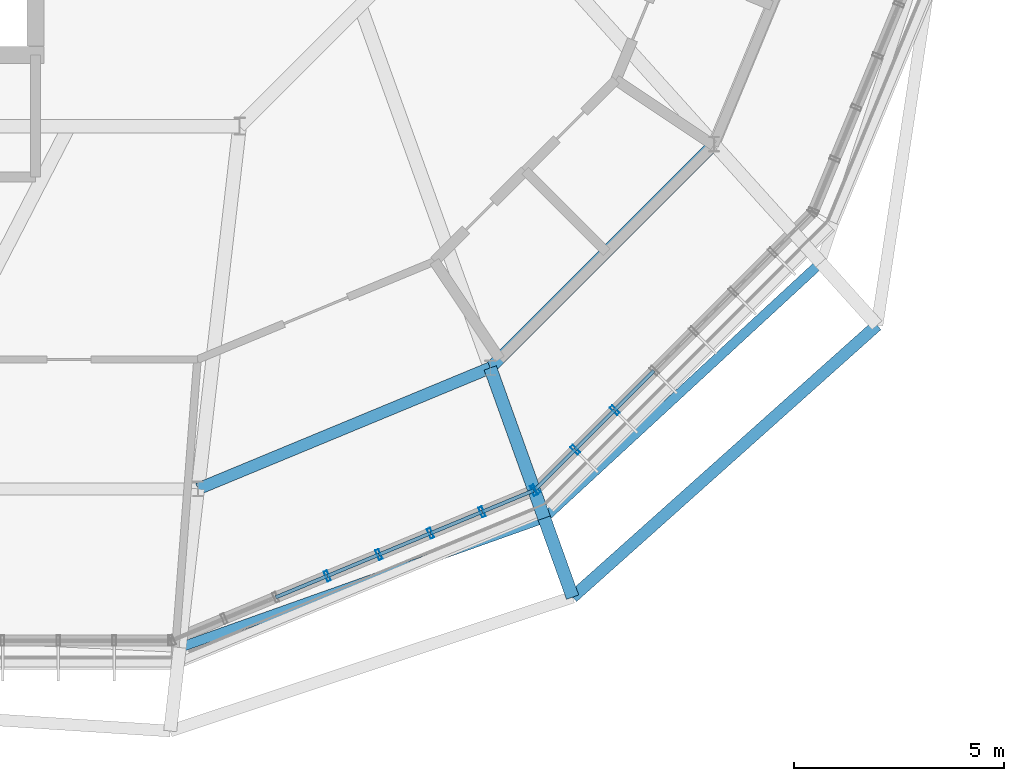
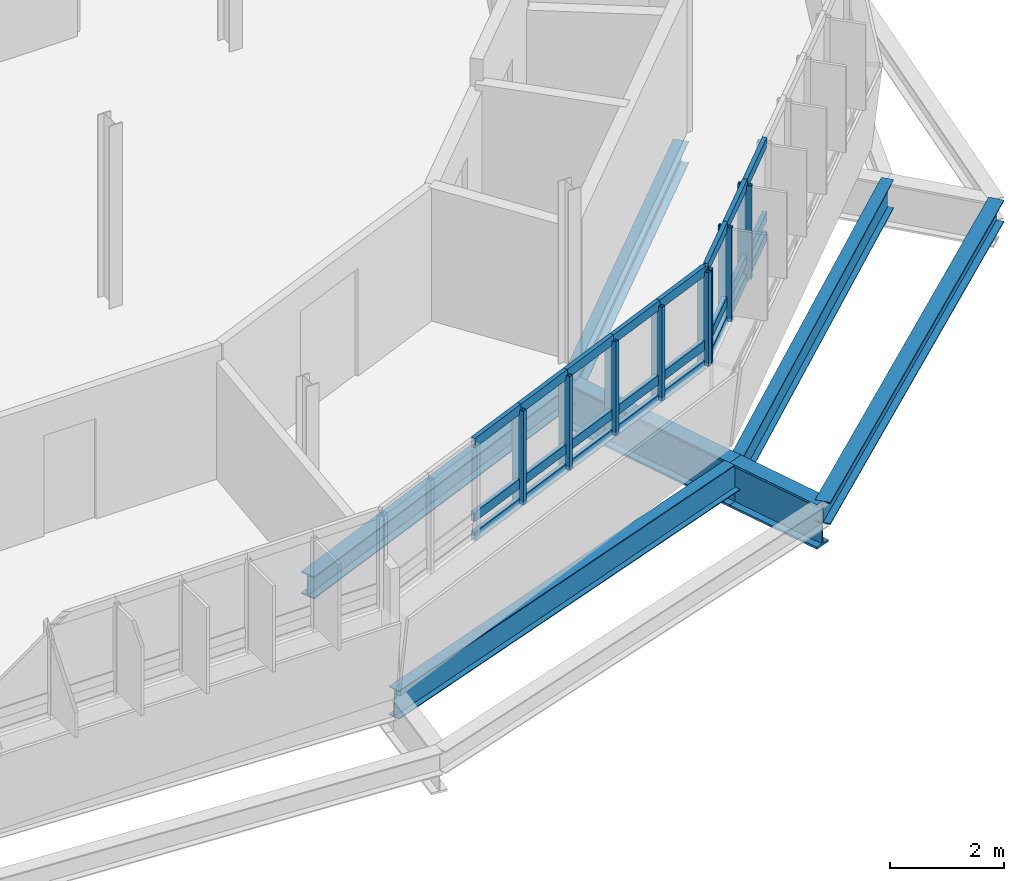
# One storey, part 12 of 31: 32 members, 7 beams, 2 elements without a shape of their own.
"""IFC4 building model written with IfcOpenShell, lengths in metres."""

from ifc_helpers import new_model, si_unit, derived_unit, direction, frame, origin, origin_2d, place, context, subcontext, project, spatial, hollow_rectangle, i_section, extrude, material, layer, layer_set, material_profile, profile_set, type_object, element, aggregate, save


model = new_model("IFC4")

# Units and contexts
model_context = context("Model", 3, precision=1e-05, world=origin(), true_north=direction((0.0, 1.0)))
body_context = subcontext(model_context, "Body", "Model", "MODEL_VIEW")
ifc_project = project(units=[si_unit("LENGTHUNIT", "METRE"), si_unit("AREAUNIT", "SQUARE_METRE"), si_unit("VOLUMEUNIT", "CUBIC_METRE"), si_unit("PLANEANGLEUNIT", "RADIAN"), si_unit("MASSUNIT", "GRAM", prefix="KILO"), derived_unit("THERMALTRANSMITTANCEUNIT", [(si_unit("MASSUNIT", "GRAM", prefix="KILO"), 1), (si_unit("TIMEUNIT", "SECOND"), -3), (si_unit("THERMODYNAMICTEMPERATUREUNIT", "KELVIN"), -1)])], contexts=[model_context])

# Site, building, storey
site_placement = place(None, origin())
site = spatial("IfcSite", under=ifc_project, at=site_placement, CompositionType="ELEMENT")
building_placement = place(site_placement, origin())
building = spatial("IfcBuilding", under=site, at=building_placement, Name="Makaiwela Harbour Ferry Terminal", CompositionType="ELEMENT")
storey_placement = place(building_placement, frame((0.0, 0.0, 21.60009765625)))
storey = spatial("IfcBuildingStorey", under=building, at=storey_placement, Name="L05", CompositionType="ELEMENT", Elevation=21.60009765625)

# Curtain wall, members
ifc_material_1 = material(Name="Marine anodised aluminium 6063-T6", Category="aluminium")
ifc_layer = layer(ifc_material_1, 0.199951171875)
ifc_layer_set = layer_set([ifc_layer], Name="Marine anodised aluminium 6063-T6")
curtain_wall_type = type_object("IfcCurtainWallType", Name="ENV-CW-07", PredefinedType="USERDEFINED", material=ifc_layer_set)
curtain_wall_1_placement = place(storey_placement, origin())
curtain_wall_1 = element("IfcCurtainWall", 1, at=curtain_wall_1_placement, inside=storey, type_object=curtain_wall_type, Name="Unitised Curtain Wall CWA-068", ObjectType="UNITIZED CURTAIN WALL", PredefinedType="USERDEFINED")
ifc_material_profile_1 = material_profile(ifc_material_1, hollow_rectangle(XDim=0.0849609375, YDim=0.25, WallThickness=0.0048828125, at=origin_2d()), Name="CWM-250X85")
ifc_profile_set_1 = profile_set([ifc_material_profile_1], Name="Marine anodised aluminium 6063-T6")
member_type_1 = type_object("IfcMemberType", Name="CW-MUL-250", PredefinedType="MULLION", material=ifc_profile_set_1)
member_1_placement = place(storey_placement, frame((43.94384765625, 47.0986328125, 1.47998046875), z_axis=(0.0, 0.0, 1.0), x_axis=(0.923879532511, 0.382683432365, 0.0)))
member_1 = element("IfcMember", 2, at=member_1_placement, type_object=member_type_1, Name="Curtain Wall Mullion CWA-068-4", PredefinedType="MULLION", context=body_context, shape_type="SweptSolid", body=[
    extrude(hollow_rectangle(XDim=0.0849609375, YDim=0.25, WallThickness=0.0048828125, at=origin_2d()), origin(), (0.0, 0.0, 1.0), 2.0),
])
member_2_placement = place(storey_placement, frame((45.172119140625, 47.607421875, 1.47998046875), z_axis=(0.0, 0.0, 1.0), x_axis=(0.923879532511, 0.382683432365, 0.0)))
member_2 = element("IfcMember", 3, at=member_2_placement, type_object=member_type_1, Name="Curtain Wall Mullion CWA-068-5", PredefinedType="MULLION", context=body_context, shape_type="SweptSolid", body=[
    extrude(hollow_rectangle(XDim=0.0849609375, YDim=0.25, WallThickness=0.0048828125, at=origin_2d()), origin(), (0.0, 0.0, 1.0), 2.0),
])
member_3_placement = place(storey_placement, frame((46.39990234375, 48.115966796875, 1.47998046875), z_axis=(0.0, 0.0, 1.0), x_axis=(0.923879532511, 0.382683432365, 0.0)))
member_3 = element("IfcMember", 4, at=member_3_placement, type_object=member_type_1, Name="Curtain Wall Mullion CWA-068-6", PredefinedType="MULLION", context=body_context, shape_type="SweptSolid", body=[
    extrude(hollow_rectangle(XDim=0.0849609375, YDim=0.25, WallThickness=0.0048828125, at=origin_2d()), origin(), (0.0, 0.0, 1.0), 2.0),
])
member_4_placement = place(storey_placement, frame((47.6279296875, 48.62451171875, 1.47998046875), z_axis=(0.0, 0.0, 1.0), x_axis=(0.923879532511, 0.382683432365, 0.0)))
member_4 = element("IfcMember", 5, at=member_4_placement, type_object=member_type_1, Name="Curtain Wall Mullion CWA-068-7", PredefinedType="MULLION", context=body_context, shape_type="SweptSolid", body=[
    extrude(hollow_rectangle(XDim=0.0849609375, YDim=0.25, WallThickness=0.0048828125, at=origin_2d()), origin(), (0.0, 0.0, 1.0), 2.0),
])
member_5_placement = place(storey_placement, frame((48.85595703125, 49.13330078125, 1.47998046875), z_axis=(0.0, 0.0, 1.0), x_axis=(0.923879532511, 0.382683432365, 0.0)))
member_5 = element("IfcMember", 6, at=member_5_placement, type_object=member_type_1, Name="Curtain Wall Mullion CWA-068-8", PredefinedType="MULLION", context=body_context, shape_type="SweptSolid", body=[
    extrude(hollow_rectangle(XDim=0.0849609375, YDim=0.25, WallThickness=0.0048828125, at=origin_2d()), origin(), (0.0, 0.0, 1.0), 2.0),
])

curtain_wall_2_placement = place(storey_placement, origin())
curtain_wall_2 = element("IfcCurtainWall", 7, at=curtain_wall_2_placement, inside=storey, type_object=curtain_wall_type, Name="Unitised Curtain Wall CWA-069", ObjectType="UNITIZED CURTAIN WALL", PredefinedType="USERDEFINED")
member_6_placement = place(storey_placement, frame((48.90478515625, 49.166015625, 1.47998046875), z_axis=(0.0, 0.0, 1.0), x_axis=(0.707106781187, 0.707106781187, 0.0)))
member_6 = element("IfcMember", 8, at=member_6_placement, type_object=member_type_1, Name="Curtain Wall Mullion CWA-069-1", PredefinedType="MULLION", context=body_context, shape_type="SweptSolid", body=[
    extrude(hollow_rectangle(XDim=0.0849609375, YDim=0.25, WallThickness=0.0048828125, at=origin_2d()), origin(), (0.0, 0.0, 1.0), 2.0),
])
member_7_placement = place(storey_placement, frame((49.8447265625, 50.105712890625, 1.47998046875), z_axis=(0.0, 0.0, 1.0), x_axis=(0.707106781187, 0.707106781187, 0.0)))
member_7 = element("IfcMember", 9, at=member_7_placement, type_object=member_type_1, Name="Curtain Wall Mullion CWA-069-2", PredefinedType="MULLION", context=body_context, shape_type="SweptSolid", body=[
    extrude(hollow_rectangle(XDim=0.0849609375, YDim=0.25, WallThickness=0.0048828125, at=origin_2d()), origin(), (0.0, 0.0, 1.0), 2.0),
])
member_8_placement = place(storey_placement, frame((50.78466796875, 51.045654296875, 1.47998046875), z_axis=(0.0, 0.0, 1.0), x_axis=(0.707106781187, 0.707106781187, 0.0)))
member_8 = element("IfcMember", 10, at=member_8_placement, type_object=member_type_1, Name="Curtain Wall Mullion CWA-069-3", PredefinedType="MULLION", context=body_context, shape_type="SweptSolid", body=[
    extrude(hollow_rectangle(XDim=0.0849609375, YDim=0.25, WallThickness=0.0048828125, at=origin_2d()), origin(), (0.0, 0.0, 1.0), 2.0),
])

# Member
ifc_material_profile_2 = material_profile(ifc_material_1, hollow_rectangle(XDim=0.0849609375, YDim=0.199951171875, WallThickness=0.0048828125, at=origin_2d()), Name="CWT-200X85")
ifc_profile_set_2 = profile_set([ifc_material_profile_2], Name="Marine anodised aluminium 6063-T6")
member_type_2 = type_object("IfcMemberType", Name="CW-TRN-200", PredefinedType="USERDEFINED", material=ifc_profile_set_2)
member_9_placement = place(storey_placement, frame((42.7158203125, 46.590087890625, 1.47998046875), z_axis=(0.923911624209, 0.382605946964, 0.0), x_axis=(-0.382605946964, 0.923911624209, 0.0)))
member_9 = element("IfcMember", 11, at=member_9_placement, type_object=member_type_2, Name="Curtain Wall Transom CWA-068-3-1", ObjectType="TRANSOM", PredefinedType="USERDEFINED", context=body_context, shape_type="SweptSolid", body=[
    extrude(hollow_rectangle(XDim=0.0849609375, YDim=0.199951171875, WallThickness=0.0048828125, at=origin_2d()), origin(), (0.0, 0.0, 1.0), 1.3291015625),
])

member_10_placement = place(storey_placement, frame((42.7158203125, 46.590087890625, 1.89990234375), z_axis=(0.923911624209, 0.382605946964, 0.0), x_axis=(-0.382605946964, 0.923911624209, 0.0)))
member_10 = element("IfcMember", 12, at=member_10_placement, type_object=member_type_2, Name="Curtain Wall Transom CWA-068-3-2", ObjectType="TRANSOM", PredefinedType="USERDEFINED", context=body_context, shape_type="SweptSolid", body=[
    extrude(hollow_rectangle(XDim=0.0849609375, YDim=0.199951171875, WallThickness=0.0048828125, at=origin_2d()), origin(), (0.0, 0.0, 1.0), 1.3291015625),
])

member_11_placement = place(storey_placement, frame((42.7158203125, 46.590087890625, 3.47998046875), z_axis=(0.923911624209, 0.382605946964, 0.0), x_axis=(-0.382605946964, 0.923911624209, 0.0)))
member_11 = element("IfcMember", 13, at=member_11_placement, type_object=member_type_2, Name="Curtain Wall Transom CWA-068-3-3", ObjectType="TRANSOM", PredefinedType="USERDEFINED", context=body_context, shape_type="SweptSolid", body=[
    extrude(hollow_rectangle(XDim=0.0849609375, YDim=0.199951171875, WallThickness=0.0048828125, at=origin_2d()), origin(), (0.0, 0.0, 1.0), 1.3291015625),
])

member_12_placement = place(storey_placement, frame((43.94384765625, 47.0986328125, 1.47998046875), z_axis=(0.923873587349, 0.382697784941, 0.0), x_axis=(-0.382697784941, 0.923873587349, 0.0)))
member_12 = element("IfcMember", 14, at=member_12_placement, type_object=member_type_2, Name="Curtain Wall Transom CWA-068-4-1", ObjectType="TRANSOM", PredefinedType="USERDEFINED", context=body_context, shape_type="SweptSolid", body=[
    extrude(hollow_rectangle(XDim=0.0849609375, YDim=0.199951171875, WallThickness=0.0048828125, at=origin_2d()), origin(), (0.0, 0.0, 1.0), 1.32958984375),
])

member_13_placement = place(storey_placement, frame((43.94384765625, 47.0986328125, 1.89990234375), z_axis=(0.923873587349, 0.382697784941, 0.0), x_axis=(-0.382697784941, 0.923873587349, 0.0)))
member_13 = element("IfcMember", 15, at=member_13_placement, type_object=member_type_2, Name="Curtain Wall Transom CWA-068-4-2", ObjectType="TRANSOM", PredefinedType="USERDEFINED", context=body_context, shape_type="SweptSolid", body=[
    extrude(hollow_rectangle(XDim=0.0849609375, YDim=0.199951171875, WallThickness=0.0048828125, at=origin_2d()), origin(), (0.0, 0.0, 1.0), 1.32958984375),
])

member_14_placement = place(storey_placement, frame((43.94384765625, 47.0986328125, 3.47998046875), z_axis=(0.923873587349, 0.382697784941, 0.0), x_axis=(-0.382697784941, 0.923873587349, 0.0)))
member_14 = element("IfcMember", 16, at=member_14_placement, type_object=member_type_2, Name="Curtain Wall Transom CWA-068-4-3", ObjectType="TRANSOM", PredefinedType="USERDEFINED", context=body_context, shape_type="SweptSolid", body=[
    extrude(hollow_rectangle(XDim=0.0849609375, YDim=0.199951171875, WallThickness=0.0048828125, at=origin_2d()), origin(), (0.0, 0.0, 1.0), 1.32958984375),
])

member_15_placement = place(storey_placement, frame((45.172119140625, 47.607421875, 1.47998046875), z_axis=(0.923884728906, 0.382670886918, 0.0), x_axis=(-0.382670886918, 0.923884728906, 0.0)))
member_15 = element("IfcMember", 17, at=member_15_placement, type_object=member_type_2, Name="Curtain Wall Transom CWA-068-5-1", ObjectType="TRANSOM", PredefinedType="USERDEFINED", context=body_context, shape_type="SweptSolid", body=[
    extrude(hollow_rectangle(XDim=0.0849609375, YDim=0.199951171875, WallThickness=0.0048828125, at=origin_2d()), origin(), (0.0, 0.0, 1.0), 1.328857421875),
])

member_16_placement = place(storey_placement, frame((45.172119140625, 47.607421875, 1.89990234375), z_axis=(0.923884728906, 0.382670886918, 0.0), x_axis=(-0.382670886918, 0.923884728906, 0.0)))
member_16 = element("IfcMember", 18, at=member_16_placement, type_object=member_type_2, Name="Curtain Wall Transom CWA-068-5-2", ObjectType="TRANSOM", PredefinedType="USERDEFINED", context=body_context, shape_type="SweptSolid", body=[
    extrude(hollow_rectangle(XDim=0.0849609375, YDim=0.199951171875, WallThickness=0.0048828125, at=origin_2d()), origin(), (0.0, 0.0, 1.0), 1.328857421875),
])

member_17_placement = place(storey_placement, frame((45.172119140625, 47.607421875, 3.47998046875), z_axis=(0.923884728906, 0.382670886918, 0.0), x_axis=(-0.382670886918, 0.923884728906, 0.0)))
member_17 = element("IfcMember", 19, at=member_17_placement, type_object=member_type_2, Name="Curtain Wall Transom CWA-068-5-3", ObjectType="TRANSOM", PredefinedType="USERDEFINED", context=body_context, shape_type="SweptSolid", body=[
    extrude(hollow_rectangle(XDim=0.0849609375, YDim=0.199951171875, WallThickness=0.0048828125, at=origin_2d()), origin(), (0.0, 0.0, 1.0), 1.328857421875),
])

member_18_placement = place(storey_placement, frame((46.39990234375, 48.115966796875, 1.47998046875), z_axis=(0.923911624209, 0.382605946964, 0.0), x_axis=(-0.382605946964, 0.923911624209, 0.0)))
member_18 = element("IfcMember", 20, at=member_18_placement, type_object=member_type_2, Name="Curtain Wall Transom CWA-068-6-1", ObjectType="TRANSOM", PredefinedType="USERDEFINED", context=body_context, shape_type="SweptSolid", body=[
    extrude(hollow_rectangle(XDim=0.0849609375, YDim=0.199951171875, WallThickness=0.0048828125, at=origin_2d()), origin(), (0.0, 0.0, 1.0), 1.3291015625),
])

member_19_placement = place(storey_placement, frame((46.39990234375, 48.115966796875, 1.89990234375), z_axis=(0.923911624209, 0.382605946964, 0.0), x_axis=(-0.382605946964, 0.923911624209, 0.0)))
member_19 = element("IfcMember", 21, at=member_19_placement, type_object=member_type_2, Name="Curtain Wall Transom CWA-068-6-2", ObjectType="TRANSOM", PredefinedType="USERDEFINED", context=body_context, shape_type="SweptSolid", body=[
    extrude(hollow_rectangle(XDim=0.0849609375, YDim=0.199951171875, WallThickness=0.0048828125, at=origin_2d()), origin(), (0.0, 0.0, 1.0), 1.3291015625),
])

member_20_placement = place(storey_placement, frame((46.39990234375, 48.115966796875, 3.47998046875), z_axis=(0.923911624209, 0.382605946964, 0.0), x_axis=(-0.382605946964, 0.923911624209, 0.0)))
member_20 = element("IfcMember", 22, at=member_20_placement, type_object=member_type_2, Name="Curtain Wall Transom CWA-068-6-3", ObjectType="TRANSOM", PredefinedType="USERDEFINED", context=body_context, shape_type="SweptSolid", body=[
    extrude(hollow_rectangle(XDim=0.0849609375, YDim=0.199951171875, WallThickness=0.0048828125, at=origin_2d()), origin(), (0.0, 0.0, 1.0), 1.3291015625),
])

member_21_placement = place(storey_placement, frame((47.6279296875, 48.62451171875, 1.47998046875), z_axis=(0.923846685591, 0.382762722221, 0.0), x_axis=(-0.382762722221, 0.923846685591, 0.0)))
member_21 = element("IfcMember", 23, at=member_21_placement, type_object=member_type_2, Name="Curtain Wall Transom CWA-068-7-1", ObjectType="TRANSOM", PredefinedType="USERDEFINED", context=body_context, shape_type="SweptSolid", body=[
    extrude(hollow_rectangle(XDim=0.0849609375, YDim=0.199951171875, WallThickness=0.0048828125, at=origin_2d()), origin(), (0.0, 0.0, 1.0), 1.329345703125),
])

member_22_placement = place(storey_placement, frame((47.6279296875, 48.62451171875, 1.89990234375), z_axis=(0.923846685591, 0.382762722221, 0.0), x_axis=(-0.382762722221, 0.923846685591, 0.0)))
member_22 = element("IfcMember", 24, at=member_22_placement, type_object=member_type_2, Name="Curtain Wall Transom CWA-068-7-2", ObjectType="TRANSOM", PredefinedType="USERDEFINED", context=body_context, shape_type="SweptSolid", body=[
    extrude(hollow_rectangle(XDim=0.0849609375, YDim=0.199951171875, WallThickness=0.0048828125, at=origin_2d()), origin(), (0.0, 0.0, 1.0), 1.329345703125),
])

member_23_placement = place(storey_placement, frame((47.6279296875, 48.62451171875, 3.47998046875), z_axis=(0.923846685591, 0.382762722221, 0.0), x_axis=(-0.382762722221, 0.923846685591, 0.0)))
member_23 = element("IfcMember", 25, at=member_23_placement, type_object=member_type_2, Name="Curtain Wall Transom CWA-068-7-3", ObjectType="TRANSOM", PredefinedType="USERDEFINED", context=body_context, shape_type="SweptSolid", body=[
    extrude(hollow_rectangle(XDim=0.0849609375, YDim=0.199951171875, WallThickness=0.0048828125, at=origin_2d()), origin(), (0.0, 0.0, 1.0), 1.329345703125),
])

aggregate(curtain_wall_1, [member_1, member_2, member_3, member_4, member_5, member_9, member_10, member_11, member_12, member_13, member_14, member_15, member_16, member_17, member_18, member_19, member_20, member_21, member_22, member_23])

member_24_placement = place(storey_placement, frame((48.90478515625, 49.166015625, 1.47998046875), z_axis=(0.707198619198, 0.707014931245, 0.0), x_axis=(-0.707014931245, 0.707198619198, 0.0)))
member_24 = element("IfcMember", 26, at=member_24_placement, type_object=member_type_2, Name="Curtain Wall Transom CWA-069-1-1", ObjectType="TRANSOM", PredefinedType="USERDEFINED", context=body_context, shape_type="SweptSolid", body=[
    extrude(hollow_rectangle(XDim=0.0849609375, YDim=0.199951171875, WallThickness=0.0048828125, at=origin_2d()), origin(), (0.0, 0.0, 1.0), 1.3291015625),
])

member_25_placement = place(storey_placement, frame((48.90478515625, 49.166015625, 1.89990234375), z_axis=(0.707198619198, 0.707014931245, 0.0), x_axis=(-0.707014931245, 0.707198619198, 0.0)))
member_25 = element("IfcMember", 27, at=member_25_placement, type_object=member_type_2, Name="Curtain Wall Transom CWA-069-1-2", ObjectType="TRANSOM", PredefinedType="USERDEFINED", context=body_context, shape_type="SweptSolid", body=[
    extrude(hollow_rectangle(XDim=0.0849609375, YDim=0.199951171875, WallThickness=0.0048828125, at=origin_2d()), origin(), (0.0, 0.0, 1.0), 1.3291015625),
])

member_26_placement = place(storey_placement, frame((48.90478515625, 49.166015625, 3.47998046875), z_axis=(0.707198619198, 0.707014931245, 0.0), x_axis=(-0.707014931245, 0.707198619198, 0.0)))
member_26 = element("IfcMember", 28, at=member_26_placement, type_object=member_type_2, Name="Curtain Wall Transom CWA-069-1-3", ObjectType="TRANSOM", PredefinedType="USERDEFINED", context=body_context, shape_type="SweptSolid", body=[
    extrude(hollow_rectangle(XDim=0.0849609375, YDim=0.199951171875, WallThickness=0.0048828125, at=origin_2d()), origin(), (0.0, 0.0, 1.0), 1.3291015625),
])

member_27_placement = place(storey_placement, frame((49.8447265625, 50.105712890625, 1.47998046875), z_axis=(0.707106781187, 0.707106781187, 0.0), x_axis=(-0.707106781187, 0.707106781187, 0.0)))
member_27 = element("IfcMember", 29, at=member_27_placement, type_object=member_type_2, Name="Curtain Wall Transom CWA-069-2-1", ObjectType="TRANSOM", PredefinedType="USERDEFINED", context=body_context, shape_type="SweptSolid", body=[
    extrude(hollow_rectangle(XDim=0.0849609375, YDim=0.199951171875, WallThickness=0.0048828125, at=origin_2d()), origin(), (0.0, 0.0, 1.0), 1.329345703125),
])

member_28_placement = place(storey_placement, frame((49.8447265625, 50.105712890625, 1.89990234375), z_axis=(0.707106781187, 0.707106781187, 0.0), x_axis=(-0.707106781187, 0.707106781187, 0.0)))
member_28 = element("IfcMember", 30, at=member_28_placement, type_object=member_type_2, Name="Curtain Wall Transom CWA-069-2-2", ObjectType="TRANSOM", PredefinedType="USERDEFINED", context=body_context, shape_type="SweptSolid", body=[
    extrude(hollow_rectangle(XDim=0.0849609375, YDim=0.199951171875, WallThickness=0.0048828125, at=origin_2d()), origin(), (0.0, 0.0, 1.0), 1.329345703125),
])

member_29_placement = place(storey_placement, frame((49.8447265625, 50.105712890625, 3.47998046875), z_axis=(0.707106781187, 0.707106781187, 0.0), x_axis=(-0.707106781187, 0.707106781187, 0.0)))
member_29 = element("IfcMember", 31, at=member_29_placement, type_object=member_type_2, Name="Curtain Wall Transom CWA-069-2-3", ObjectType="TRANSOM", PredefinedType="USERDEFINED", context=body_context, shape_type="SweptSolid", body=[
    extrude(hollow_rectangle(XDim=0.0849609375, YDim=0.199951171875, WallThickness=0.0048828125, at=origin_2d()), origin(), (0.0, 0.0, 1.0), 1.329345703125),
])

member_30_placement = place(storey_placement, frame((50.78466796875, 51.045654296875, 1.47998046875), z_axis=(0.707106781187, 0.707106781187, 0.0), x_axis=(-0.707106781187, 0.707106781187, 0.0)))
member_30 = element("IfcMember", 32, at=member_30_placement, type_object=member_type_2, Name="Curtain Wall Transom CWA-069-3-1", ObjectType="TRANSOM", PredefinedType="USERDEFINED", context=body_context, shape_type="SweptSolid", body=[
    extrude(hollow_rectangle(XDim=0.0849609375, YDim=0.199951171875, WallThickness=0.0048828125, at=origin_2d()), origin(), (0.0, 0.0, 1.0), 1.329345703125),
])

member_31_placement = place(storey_placement, frame((50.78466796875, 51.045654296875, 1.89990234375), z_axis=(0.707106781187, 0.707106781187, 0.0), x_axis=(-0.707106781187, 0.707106781187, 0.0)))
member_31 = element("IfcMember", 33, at=member_31_placement, type_object=member_type_2, Name="Curtain Wall Transom CWA-069-3-2", ObjectType="TRANSOM", PredefinedType="USERDEFINED", context=body_context, shape_type="SweptSolid", body=[
    extrude(hollow_rectangle(XDim=0.0849609375, YDim=0.199951171875, WallThickness=0.0048828125, at=origin_2d()), origin(), (0.0, 0.0, 1.0), 1.329345703125),
])

member_32_placement = place(storey_placement, frame((50.78466796875, 51.045654296875, 3.47998046875), z_axis=(0.707106781187, 0.707106781187, 0.0), x_axis=(-0.707106781187, 0.707106781187, 0.0)))
member_32 = element("IfcMember", 34, at=member_32_placement, type_object=member_type_2, Name="Curtain Wall Transom CWA-069-3-3", ObjectType="TRANSOM", PredefinedType="USERDEFINED", context=body_context, shape_type="SweptSolid", body=[
    extrude(hollow_rectangle(XDim=0.0849609375, YDim=0.199951171875, WallThickness=0.0048828125, at=origin_2d()), origin(), (0.0, 0.0, 1.0), 1.329345703125),
])

aggregate(curtain_wall_2, [member_6, member_7, member_8, member_24, member_25, member_26, member_27, member_28, member_29, member_30, member_31, member_32])

# Beams
ifc_material_2 = material(Name="Steel ASTM A992 Grade 50", Category="steel")
ifc_material_profile_3 = material_profile(ifc_material_2, i_section(OverallWidth=0.22900390625, OverallDepth=0.612060546875, WebThickness=0.011962890625, FlangeThickness=0.01953125, at=origin_2d()), Name="W24X84")
ifc_profile_set_3 = profile_set([ifc_material_profile_3], Name="Steel ASTM A992 Grade 50")
beam_type_1 = type_object("IfcBeamType", Name="STR-GRD-W24X84", PredefinedType="USERDEFINED", material=ifc_profile_set_3)
beam_1_placement = place(storey_placement, frame((40.431884765625, 45.3955078125, -0.55615234375), z_axis=(0.942345758872, 0.334640808533, 0.0), x_axis=(-0.334640808533, 0.942345758872, 0.0)))
element("IfcBeam", 35, at=beam_1_placement, inside=storey, type_object=beam_type_1, Name="Drum overhang tie girder 600", ObjectType="GIRDER", PredefinedType="USERDEFINED", context=body_context, shape_type="SweptSolid", body=[
    extrude(i_section(OverallWidth=0.22900390625, OverallDepth=0.612060546875, WebThickness=0.011962890625, FlangeThickness=0.01953125, at=origin_2d()), origin(), (0.0, 0.0, 1.0), 9.206298828125),
])
beam_2_placement = place(storey_placement, frame((49.107421875, 48.476318359375, -0.55615234375), z_axis=(0.734745985858, 0.678342344444, 0.0), x_axis=(-0.678342344444, 0.734745985858, 0.0)))
element("IfcBeam", 36, at=beam_2_placement, inside=storey, type_object=beam_type_1, Name="Drum overhang tie girder 601", ObjectType="GIRDER", PredefinedType="USERDEFINED", context=body_context, shape_type="SweptSolid", body=[
    extrude(i_section(OverallWidth=0.22900390625, OverallDepth=0.612060546875, WebThickness=0.011962890625, FlangeThickness=0.01953125, at=origin_2d()), origin(), (0.0, 0.0, 1.0), 8.9599609375),
])
ifc_material_profile_4 = material_profile(ifc_material_2, i_section(OverallWidth=0.31005859375, OverallDepth=0.949951171875, WebThickness=0.0244140625, FlangeThickness=0.0439453125, at=origin_2d()), Name="W36X256")
ifc_profile_set_4 = profile_set([ifc_material_profile_4], Name="Steel ASTM A992 Grade 50")
beam_type_2 = type_object("IfcBeamType", Name="STR-GRD-W36X256", PredefinedType="USERDEFINED", material=ifc_profile_set_4)
beam_3_placement = place(storey_placement, frame((47.822509765625, 52.052490234375, -0.72509765625), z_axis=(0.338134714011, -0.941097718189, 0.0), x_axis=(0.941097718189, 0.338134714011, 0.0)))
element("IfcBeam", 37, at=beam_3_placement, inside=storey, type_object=beam_type_2, Name="Drum radial overhang 572", ObjectType="GIRDER", PredefinedType="USERDEFINED", context=body_context, shape_type="SweptSolid", body=[
    extrude(i_section(OverallWidth=0.31005859375, OverallDepth=0.949951171875, WebThickness=0.0244140625, FlangeThickness=0.0439453125, at=origin_2d()), origin(), (0.0, 0.0, 1.0), 3.800048828125),
])
beam_4_placement = place(storey_placement, frame((49.107421875, 48.476318359375, -0.72509765625), z_axis=(0.338044990748, -0.941129950767, 0.0), x_axis=(0.941129950767, 0.338044990748, 0.0)))
element("IfcBeam", 38, at=beam_4_placement, inside=storey, type_object=beam_type_2, Name="Drum overhang radial girder 573", ObjectType="GIRDER", PredefinedType="USERDEFINED", context=body_context, shape_type="SweptSolid", body=[
    extrude(i_section(OverallWidth=0.31005859375, OverallDepth=0.949951171875, WebThickness=0.0244140625, FlangeThickness=0.0439453125, at=origin_2d()), origin(), (0.0, 0.0, 1.0), 1.999755859375),
])
ifc_material_profile_5 = material_profile(ifc_material_2, i_section(OverallWidth=0.283935546875, OverallDepth=0.47607421875, WebThickness=0.014892578125, FlangeThickness=0.02392578125, at=origin_2d()), Name="W18X106")
ifc_profile_set_5 = profile_set([ifc_material_profile_5], Name="Steel ASTM A992 Grade 50")
beam_type_3 = type_object("IfcBeamType", Name="STR-SPN-W18X106", PredefinedType="SPANDREL", material=ifc_profile_set_5)
for number, where, z_axis, x_axis, name in (
    (39, (40.865234375, 49.1708984375, -0.488037109375), (0.92388920519, 0.382660079618, 0.0), (-0.382660079618, 0.92388920519, 0.0), "Drum column ring girder 519"),
    (40, (47.822509765625, 52.052490234375, -0.488037109375), (0.707106781187, 0.707106781187, 0.0), (-0.707106781187, 0.707106781187, 0.0), "Drum column ring girder 520"),
):
    element("IfcBeam", number, at=place(storey_placement, frame(where, z_axis=z_axis, x_axis=x_axis)), inside=storey, type_object=beam_type_3, Name=name, PredefinedType="SPANDREL", context=body_context, shape_type="SweptSolid", body=[
        extrude(i_section(OverallWidth=0.283935546875, OverallDepth=0.47607421875, WebThickness=0.014892578125, FlangeThickness=0.02392578125, at=origin_2d()), origin(), (0.0, 0.0, 1.0), 7.530517578125),
    ])
beam_5_placement = place(storey_placement, frame((49.783447265625, 46.59423828125, -0.488037109375), z_axis=(0.745714267637, 0.666265886146, 0.0), x_axis=(-0.666265886146, 0.745714267637, 0.0)))
element("IfcBeam", 41, at=beam_5_placement, inside=storey, type_object=beam_type_3, Name="Drum perimeter spandrel 615", PredefinedType="SPANDREL", context=body_context, shape_type="SweptSolid", body=[
    extrude(i_section(OverallWidth=0.283935546875, OverallDepth=0.47607421875, WebThickness=0.014892578125, FlangeThickness=0.02392578125, at=origin_2d()), origin(), (0.0, 0.0, 1.0), 9.716552734375),
])

save(model, "model.ifc")
